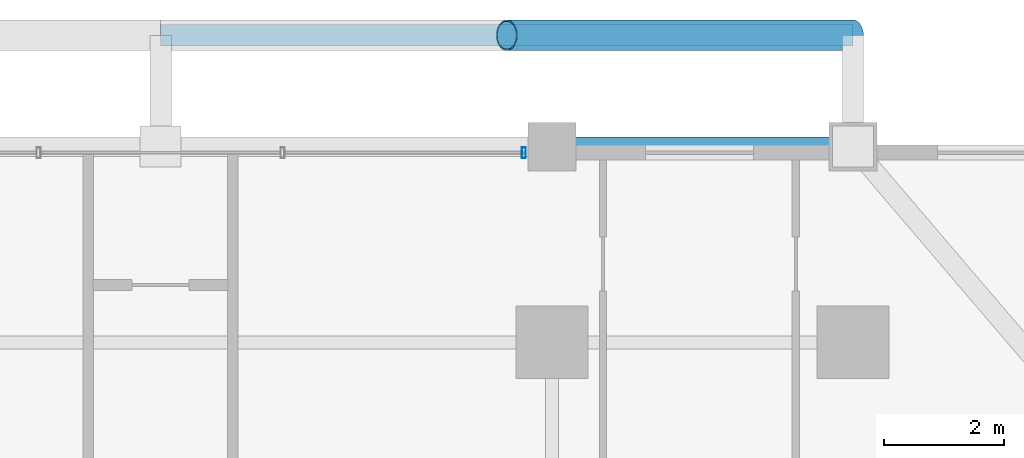
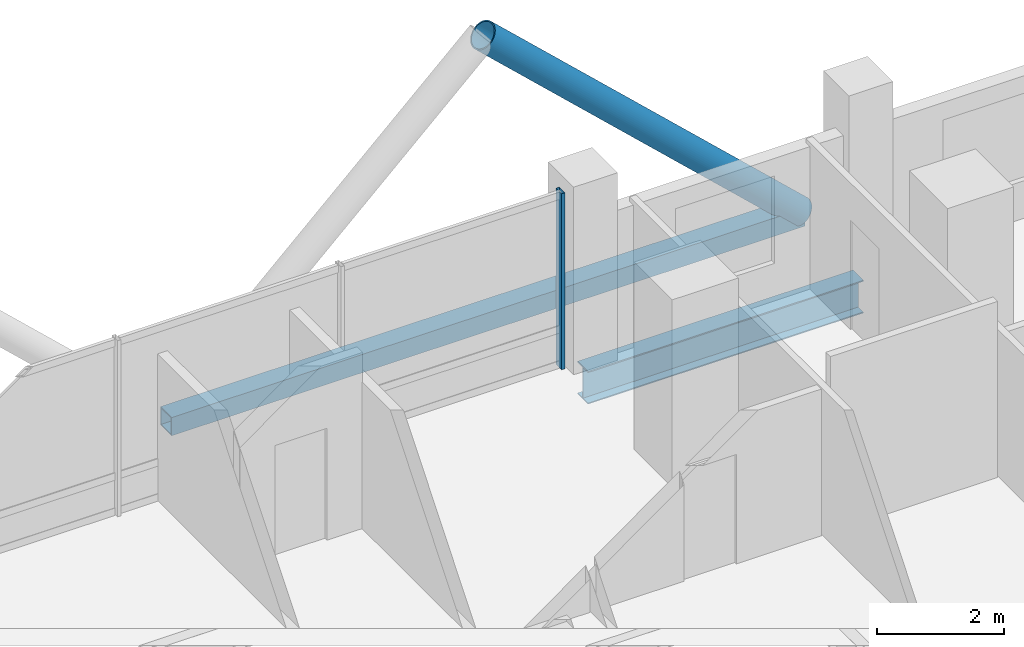
# One storey, part 16 of 25: 3 members, 1 beam, 1 element without a shape of its own.
"""IFC4 building model written with IfcOpenShell, lengths in metres."""

from ifc_helpers import new_model, si_unit, direction, frame, origin, origin_2d, place, context, subcontext, project, spatial, hollow_rectangle, hollow_circle, i_section, extrude, material, layer, layer_set, material_profile, profile_set, type_object, element, aggregate, save


model = new_model("IFC4")

# Units and contexts
model_context = context("Model", 3, precision=1e-05, world=origin(), true_north=direction((0.0, 1.0)))
body_context = subcontext(model_context, "Body", "Model", "MODEL_VIEW")
ifc_project = project(units=[si_unit("LENGTHUNIT", "METRE"), si_unit("AREAUNIT", "SQUARE_METRE"), si_unit("VOLUMEUNIT", "CUBIC_METRE"), si_unit("PLANEANGLEUNIT", "RADIAN"), si_unit("MASSUNIT", "GRAM", prefix="KILO")], contexts=[model_context])

# Site, building, storey
site_placement = place(None, origin())
site = spatial("IfcSite", under=ifc_project, at=site_placement, CompositionType="ELEMENT")
building_placement = place(site_placement, origin())
building = spatial("IfcBuilding", under=site, at=building_placement, Name="Barlavira Tower and Art Museum", CompositionType="ELEMENT")
storey_placement = place(building_placement, frame((0.0, 0.0, 133.199951171875)))
storey = spatial("IfcBuildingStorey", under=building, at=storey_placement, Name="L33", CompositionType="ELEMENT", Elevation=133.199951171875)

# Curtain wall, member
ifc_material_1 = material(Name="Low-iron coastal laminated glass", Category="glass")
ifc_layer = layer(ifc_material_1, 0.18994140625, Name="Low-iron coastal laminated glass")
ifc_layer_set = layer_set([ifc_layer], Name="Low-iron coastal laminated glass")
curtain_wall_type = type_object("IfcCurtainWallType", Name="Pale-Metal Unitised Curtain Wall Zone 2", PredefinedType="NOTDEFINED", material=ifc_layer_set)
curtain_wall_placement = place(storey_placement, origin())
curtain_wall = element("IfcCurtainWall", 1, at=curtain_wall_placement, inside=storey, type_object=curtain_wall_type, Name="L33 Curtain Wall CW2-L33-N-B3", PredefinedType="NOTDEFINED")
ifc_material_2 = material(Name="Pale anodised aluminium", Category="aluminium")
ifc_material_profile_1 = material_profile(ifc_material_2, hollow_rectangle(XDim=0.06494140625, YDim=0.179931640625, WallThickness=0.00390625, at=origin_2d()), Name="ALU-MULL 65x180x4")
ifc_profile_set_1 = profile_set([ifc_material_profile_1], Name="Pale anodised aluminium")
member_type_1 = type_object("IfcMemberType", Name="Curtain Wall Pale-Metal Mullion 65x180", PredefinedType="MULLION", material=ifc_profile_set_1)
member_1_placement = place(storey_placement, frame((6.034912109375, 23.14990234375, 0.0), z_axis=(0.0, 0.0, 1.0), x_axis=(-1.0, 0.0, 0.0)))
member_1 = element("IfcMember", 2, at=member_1_placement, type_object=member_type_1, Name="CW2-L33-N-B3 Mullion 0", PredefinedType="MULLION", context=body_context, shape_type="SweptSolid", body=[
    extrude(hollow_rectangle(XDim=0.06494140625, YDim=0.179931640625, WallThickness=0.00390625, at=origin_2d()), origin(), (0.0, 0.0, 1.0), 3.380126953125),
])
aggregate(curtain_wall, [member_1])

# Members
ifc_material_3 = material(Name="Steel S355", Category="steel")
ifc_material_profile_2 = material_profile(ifc_material_3, hollow_circle(Radius=0.25390625, WallThickness=0.022216796875, at=origin_2d()), Name="CHS 508.0x22.2")
ifc_profile_set_2 = profile_set([ifc_material_profile_2], Name="Steel S355")
member_type_2 = type_object("IfcMemberType", Name="Pale-Metal Exoskeleton Diagrid Tube CHS 508x22 Steel S355", PredefinedType="BRACE", material=ifc_profile_set_2)
member_2_placement = place(storey_placement, frame((11.5, 25.10009765625, -0.119873046875), z_axis=(-0.728950095515, 0.0, 0.684566839869), x_axis=(0.0, -1.0, 0.0)))
element("IfcMember", 3, at=member_2_placement, inside=storey, type_object=member_type_2, Name="L33 Exoskeleton Diagrid Tube N", PredefinedType="BRACE", context=body_context, shape_type="SweptSolid", body=[
    extrude(hollow_circle(Radius=0.25390625, WallThickness=0.022216796875, at=origin_2d()), origin(), (0.0, 0.0, 1.0), 7.887939453125),
])
ifc_material_profile_3 = material_profile(ifc_material_3, hollow_rectangle(XDim=0.35009765625, YDim=0.35009765625, WallThickness=0.02001953125, at=origin_2d()), Name="SHS 350x350x20.0")
ifc_profile_set_3 = profile_set([ifc_material_profile_3], Name="Steel S355")
member_type_3 = type_object("IfcMemberType", Name="Pale-Metal Exoskeleton Ring Strut SHS 350x350x20 Steel S355", PredefinedType="STRUT", material=ifc_profile_set_3)
member_3_placement = place(storey_placement, frame((0.0, 25.10009765625, -0.119873046875), z_axis=(1.0, 0.0, 0.0), x_axis=(0.0, 1.0, 0.0)))
element("IfcMember", 4, at=member_3_placement, inside=storey, type_object=member_type_3, Name="L33 Exoskeleton Ring Strut N", PredefinedType="STRUT", context=body_context, shape_type="SweptSolid", body=[
    extrude(hollow_rectangle(XDim=0.35009765625, YDim=0.35009765625, WallThickness=0.02001953125, at=origin_2d()), origin(), (0.0, 0.0, 1.0), 11.5),
])

# Beam
ifc_material_profile_4 = material_profile(ifc_material_3, i_section(OverallWidth=0.327880859375, OverallDepth=0.62890625, WebThickness=0.013916015625, FlangeThickness=0.021484375, at=origin_2d()), Name="W610x174.0")
ifc_profile_set_4 = profile_set([ifc_material_profile_4], Name="Steel S355")
beam_type = type_object("IfcBeamType", Name="Perimeter Spandrel Edge Beam W610x174 Steel S355", PredefinedType="SPANDREL", material=ifc_profile_set_4)
beam_placement = place(storey_placement, frame((6.5, 23.25, -0.534423828125), z_axis=(1.0, 0.0, 0.0), x_axis=(0.0, 1.0, 0.0)))
element("IfcBeam", 5, at=beam_placement, inside=storey, type_object=beam_type, Name="L33 Spandrel 9", PredefinedType="SPANDREL", context=body_context, shape_type="SweptSolid", body=[
    extrude(i_section(OverallWidth=0.327880859375, OverallDepth=0.62890625, WebThickness=0.013916015625, FlangeThickness=0.021484375, at=origin_2d()), origin(), (0.0, 0.0, 1.0), 5.0),
])

save(model, "model.ifc")
